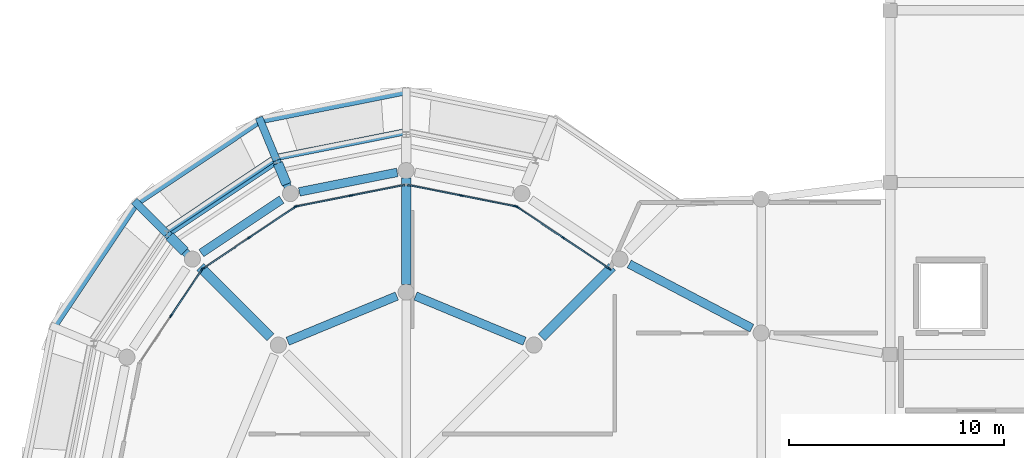
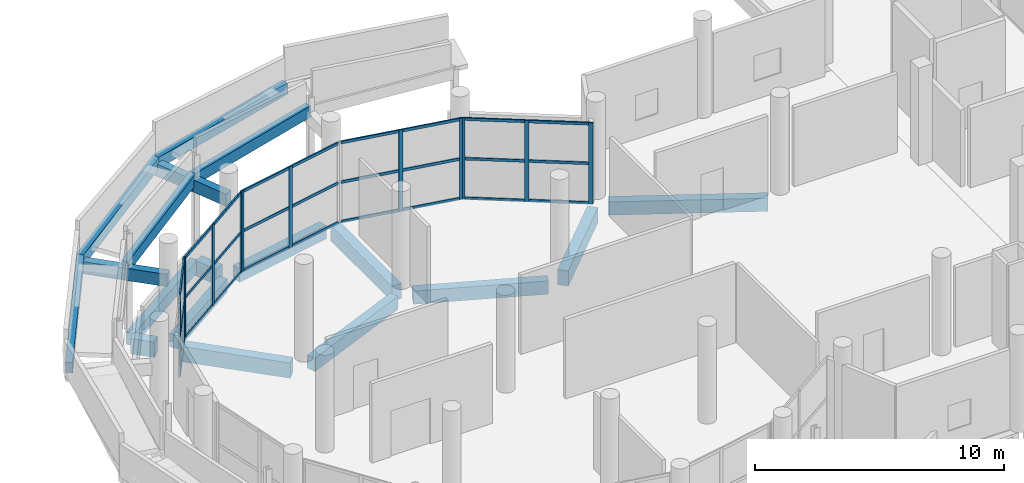
# One storey, part 27 of 106: 39 members, 20 beams, 5 elements without a shape of their own.
"""IFC4 building model written with IfcOpenShell, lengths in metres."""

from ifc_helpers import new_model, si_unit, direction, frame, origin, origin_2d, place, context, subcontext, project, spatial, rectangle, extrude, material, layer, layer_set, material_profile, profile_set, type_object, element, aggregate, save


model = new_model("IFC4")

# Units and contexts
model_context = context("Model", 3, precision=1e-05, world=origin(), true_north=direction((0.0, 1.0)))
body_context = subcontext(model_context, "Body", "Model", "MODEL_VIEW")
ifc_project = project(units=[si_unit("LENGTHUNIT", "METRE"), si_unit("AREAUNIT", "SQUARE_METRE"), si_unit("VOLUMEUNIT", "CUBIC_METRE"), si_unit("PLANEANGLEUNIT", "RADIAN"), si_unit("MASSUNIT", "GRAM", prefix="KILO")], contexts=[model_context])

# Site, building, storey
site_placement = place(None, origin())
site = spatial("IfcSite", under=ifc_project, at=site_placement, CompositionType="ELEMENT")
building_placement = place(site_placement, origin())
building = spatial("IfcBuilding", under=site, at=building_placement, Name="Jelvoka-Kovrelna Polytechnic", CompositionType="ELEMENT")
storey_placement = place(building_placement, frame((0.0, 0.0, 4.800048828125)))
storey = spatial("IfcBuildingStorey", under=building, at=storey_placement, Name="L02", CompositionType="ELEMENT", Elevation=4.800048828125)

# Beams
ifc_material_1 = material(Name="Concrete C35/45", Category="concrete")
ifc_material_profile_1 = material_profile(ifc_material_1, rectangle(XDim=0.35009765625, YDim=0.60009765625, at=origin_2d()), Name="RC 350x600")
ifc_profile_set_1 = profile_set([ifc_material_profile_1], Name="Concrete C35/45")
beam_type_1 = type_object("IfcBeamType", Name="Beam_RC_350x600", PredefinedType="BEAM", material=ifc_profile_set_1)
beam_1_placement = place(storey_placement, frame((15.565185546875, 52.434814453125, 2.8349609375), z_axis=(-0.707106781187, 0.707106781187, 0.0), x_axis=(-0.707106781187, -0.707106781187, 0.0)))
element("IfcBeam", 1, at=beam_1_placement, inside=storey, type_object=beam_type_1, Name="L02 spiral ramp inner tie beam 2.4", PredefinedType="BEAM", context=body_context, shape_type="SweptSolid", body=[
    extrude(rectangle(XDim=0.35009765625, YDim=0.60009765625, at=origin_2d()), origin(), (0.0, 0.0, 1.0), 1.670166015625),
])
beam_2_placement = place(storey_placement, frame((14.38427734375, 53.61572265625, 2.8349609375), z_axis=(-0.707106781187, 0.707106781187, 0.0), x_axis=(-0.707106781187, -0.707106781187, 0.0)))
element("IfcBeam", 2, at=beam_2_placement, inside=storey, type_object=beam_type_1, Name="L02 spiral ramp cantilever bracket 2.4", PredefinedType="BEAM", context=body_context, shape_type="SweptSolid", body=[
    extrude(rectangle(XDim=0.35009765625, YDim=0.60009765625, at=origin_2d()), origin(), (0.0, 0.0, 1.0), 2.159912109375),
])
beam_3_placement = place(storey_placement, frame((20.123291015625, 55.48046875, 3.31494140625), z_axis=(-0.38270467954, 0.923870731357, 0.0), x_axis=(-0.923870731357, -0.38270467954, 0.0)))
element("IfcBeam", 3, at=beam_3_placement, inside=storey, type_object=beam_type_1, Name="L02 spiral ramp inner tie beam 2.3", PredefinedType="BEAM", context=body_context, shape_type="SweptSolid", body=[
    extrude(rectangle(XDim=0.35009765625, YDim=0.60009765625, at=origin_2d()), origin(), (0.0, 0.0, 1.0), 1.670166015625),
])
beam_4_placement = place(storey_placement, frame((19.484130859375, 57.0234375, 3.31494140625), z_axis=(-0.382608018592, 0.923910766313, 0.0), x_axis=(-0.923910766313, -0.382608018592, 0.0)))
element("IfcBeam", 4, at=beam_4_placement, inside=storey, type_object=beam_type_1, Name="L02 spiral ramp cantilever bracket 2.3", PredefinedType="BEAM", context=body_context, shape_type="SweptSolid", body=[
    extrude(rectangle(XDim=0.35009765625, YDim=0.60009765625, at=origin_2d()), origin(), (0.0, 0.0, 1.0), 2.159912109375),
])
ifc_material_2 = material(Name="Concrete C40/50", Category="concrete")
ifc_material_profile_2 = material_profile(ifc_material_2, rectangle(XDim=0.39990234375, YDim=0.64990234375, at=origin_2d()), Name="RC 400x650")
ifc_profile_set_2 = profile_set([ifc_material_profile_2], Name="Concrete C40/50")
beam_type_2 = type_object("IfcBeamType", Name="Beam_RC_400x650", PredefinedType="BEAM", material=ifc_profile_set_2)
for number, where, z_axis, x_axis, name in (
    (5, (31.005615234375, 48.619384765625, -0.574951171875), (-0.923871015002, 0.382703994805, 0.0), (-0.382703994805, -0.923871015002, 0.0), "L02 beam 2410"),
    (6, (25.06591796875, 50.72021484375, -0.574951171875), (-0.923871015002, -0.382703994805, 0.0), (0.382703994805, -0.923871015002, 0.0), "L02 beam 2411"),
):
    element("IfcBeam", number, at=place(storey_placement, frame(where, z_axis=z_axis, x_axis=x_axis)), inside=storey, type_object=beam_type_2, Name=name, PredefinedType="BEAM", context=body_context, shape_type="SweptSolid", body=[
        extrude(rectangle(XDim=0.39990234375, YDim=0.64990234375, at=origin_2d()), origin(), (0.0, 0.0, 1.0), 5.489501953125),
    ])
beam_5_placement = place(storey_placement, frame((25.087158203125, 56.468017578125, -0.574951171875), z_axis=(-0.980774461066, -0.195144706619, 0.0), x_axis=(0.195144706619, -0.980774461066, 0.0)))
element("IfcBeam", 7, at=beam_5_placement, inside=storey, type_object=beam_type_2, Name="L02 beam 2418", PredefinedType="BEAM", context=body_context, shape_type="SweptSolid", body=[
    extrude(rectangle(XDim=0.39990234375, YDim=0.64990234375, at=origin_2d()), origin(), (0.0, 0.0, 1.0), 4.64013671875),
])
beam_6_placement = place(storey_placement, frame((19.70751953125, 55.20263671875, -0.574951171875), z_axis=(-0.831496756319, -0.55552960698, 0.0), x_axis=(0.55552960698, -0.831496756319, 0.0)))
element("IfcBeam", 8, at=beam_6_placement, inside=storey, type_object=beam_type_2, Name="L02 beam 2419", PredefinedType="BEAM", context=body_context, shape_type="SweptSolid", body=[
    extrude(rectangle(XDim=0.39990234375, YDim=0.64990234375, at=origin_2d()), origin(), (0.0, 0.0, 1.0), 4.481689453125),
])
beam_7_placement = place(storey_placement, frame((35.865478515625, 52.20947265625, -0.574951171875), z_axis=(0.886061545801, -0.463567618642, 0.0), x_axis=(0.463567618642, 0.886061545801, 0.0)))
element("IfcBeam", 9, at=beam_7_placement, inside=storey, type_object=beam_type_2, Name="L02 beam 2457", PredefinedType="BEAM", context=body_context, shape_type="SweptSolid", body=[
    extrude(rectangle(XDim=0.39990234375, YDim=0.64990234375, at=origin_2d()), origin(), (0.0, 0.0, 1.0), 6.437255859375),
])
ifc_material_3 = material(Name="Concrete C40/50", Category="concrete")
ifc_material_profile_3 = material_profile(ifc_material_3, rectangle(XDim=0.449951171875, YDim=0.75, at=origin_2d()), Name="RC 450x750")
ifc_profile_set_3 = profile_set([ifc_material_profile_3], Name="Concrete C40/50")
beam_type_3 = type_object("IfcBeamType", Name="Beam_RC_450x750", PredefinedType="BEAM", material=ifc_profile_set_3)
beam_8_placement = place(storey_placement, frame((31.800537109375, 48.800537109375, -0.625), z_axis=(0.707106781187, 0.707106781187, 0.0), x_axis=(-0.707106781187, 0.707106781187, 0.0)))
element("IfcBeam", 10, at=beam_8_placement, inside=storey, type_object=beam_type_3, Name="L02 beam 2397", PredefinedType="BEAM", context=body_context, shape_type="SweptSolid", body=[
    extrude(rectangle(XDim=0.449951171875, YDim=0.75, at=origin_2d()), origin(), (0.0, 0.0, 1.0), 4.62939453125),
])
beam_9_placement = place(storey_placement, frame((25.5, 51.2548828125, -0.625), z_axis=(0.0, 1.0, 0.0), x_axis=(-1.0, 0.0, 0.0)))
element("IfcBeam", 11, at=beam_9_placement, inside=storey, type_object=beam_type_3, Name="L02 beam 2399", PredefinedType="BEAM", context=body_context, shape_type="SweptSolid", body=[
    extrude(rectangle(XDim=0.449951171875, YDim=0.75, at=origin_2d()), origin(), (0.0, 0.0, 1.0), 4.940185546875),
])
beam_10_placement = place(storey_placement, frame((19.199462890625, 48.800537109375, -0.625), z_axis=(-0.707106781187, 0.707106781187, 0.0), x_axis=(-0.707106781187, -0.707106781187, 0.0)))
element("IfcBeam", 12, at=beam_10_placement, inside=storey, type_object=beam_type_3, Name="L02 beam 2401", PredefinedType="BEAM", context=body_context, shape_type="SweptSolid", body=[
    extrude(rectangle(XDim=0.449951171875, YDim=0.75, at=origin_2d()), origin(), (0.0, 0.0, 1.0), 4.62939453125),
])
beam_11_placement = place(storey_placement, frame((19.943603515625, 55.914794921875, -0.625), z_axis=(-0.382822216634, 0.923822033971, 0.0), x_axis=(-0.923822033971, -0.382822216634, 0.0)))
element("IfcBeam", 13, at=beam_11_placement, inside=storey, type_object=beam_type_3, Name="L02 beam 2432", PredefinedType="BEAM", context=body_context, shape_type="SweptSolid", body=[
    extrude(rectangle(XDim=0.449951171875, YDim=0.75, at=origin_2d()), origin(), (0.0, 0.0, 1.0), 1.05419921875),
])
beam_12_placement = place(storey_placement, frame((15.2041015625, 52.7958984375, -0.625), z_axis=(-0.707106781187, 0.707106781187, 0.0), x_axis=(-0.707106781187, -0.707106781187, 0.0)))
element("IfcBeam", 14, at=beam_12_placement, inside=storey, type_object=beam_type_3, Name="L02 beam 2433", PredefinedType="BEAM", context=body_context, shape_type="SweptSolid", body=[
    extrude(rectangle(XDim=0.449951171875, YDim=0.75, at=origin_2d()), origin(), (0.0, 0.0, 1.0), 0.99951171875),
])

# Curtain wall, members
ifc_material_4 = material(Name="Anodised aluminium 6063-T6", Category="aluminium")
ifc_layer = layer(ifc_material_4, 0.179931640625)
ifc_layer_set = layer_set([ifc_layer], Name="Anodised aluminium 6063-T6")
curtain_wall_type = type_object("IfcCurtainWallType", Name="CW_Pavilion", PredefinedType="NOTDEFINED", material=ifc_layer_set)
curtain_wall_1_placement = place(storey_placement, origin())
curtain_wall_1 = element("IfcCurtainWall", 15, at=curtain_wall_1_placement, inside=storey, type_object=curtain_wall_type, Name="L02 glazed curtain wall 222", PredefinedType="NOTDEFINED")
ifc_material_5 = material(Name="Anodised aluminium 6063-T6", Category="aluminium")
ifc_material_profile_4 = material_profile(ifc_material_5, rectangle(XDim=0.06494140625, YDim=0.179931640625, at=origin_2d()), Name="ALU 65x180")
ifc_profile_set_4 = profile_set([ifc_material_profile_4], Name="Anodised aluminium 6063-T6")
member_type_1 = type_object("IfcMemberType", Name="Mullion_M-05", PredefinedType="MULLION", material=ifc_profile_set_4)
member_1_placement = place(storey_placement, frame((30.655029296875, 54.862060546875, -0.02490234375), z_axis=(0.0, 0.0, 1.0), x_axis=(0.555582639326, 0.83146132254, 0.0)))
member_1 = element("IfcMember", 16, at=member_1_placement, type_object=member_type_1, Name="CW-05 mullion 1", PredefinedType="MULLION", context=body_context, shape_type="SweptSolid", body=[
    extrude(rectangle(XDim=0.06494140625, YDim=0.179931640625, at=origin_2d()), origin(), (0.0, 0.0, 1.0), 4.0),
])
member_2_placement = place(storey_placement, frame((32.801513671875, 53.427490234375, -0.02490234375), z_axis=(0.0, 0.0, 1.0), x_axis=(0.555582639326, 0.83146132254, 0.0)))
member_2 = element("IfcMember", 17, at=member_2_placement, type_object=member_type_1, Name="CW-05 mullion 2", PredefinedType="MULLION", context=body_context, shape_type="SweptSolid", body=[
    extrude(rectangle(XDim=0.06494140625, YDim=0.179931640625, at=origin_2d()), origin(), (0.0, 0.0, 1.0), 4.0),
])
member_3_placement = place(storey_placement, frame((34.9482421875, 51.9931640625, -0.02490234375), z_axis=(0.0, 0.0, 1.0), x_axis=(0.555582639326, 0.83146132254, 0.0)))
member_3 = element("IfcMember", 18, at=member_3_placement, type_object=member_type_1, Name="CW-05 mullion 3", PredefinedType="MULLION", context=body_context, shape_type="SweptSolid", body=[
    extrude(rectangle(XDim=0.06494140625, YDim=0.179931640625, at=origin_2d()), origin(), (0.0, 0.0, 1.0), 4.0),
])

curtain_wall_2_placement = place(storey_placement, origin())
curtain_wall_2 = element("IfcCurtainWall", 19, at=curtain_wall_2_placement, inside=storey, type_object=curtain_wall_type, Name="L02 glazed curtain wall 223", PredefinedType="NOTDEFINED")
member_4_placement = place(storey_placement, frame((28.06396484375, 55.389892578125, -0.02490234375), z_axis=(0.0, 0.0, 1.0), x_axis=(0.195086160371, 0.980786108197, 0.0)))
member_4 = element("IfcMember", 20, at=member_4_placement, type_object=member_type_1, Name="CW-05 mullion 2", PredefinedType="MULLION", context=body_context, shape_type="SweptSolid", body=[
    extrude(rectangle(XDim=0.06494140625, YDim=0.179931640625, at=origin_2d()), origin(), (0.0, 0.0, 1.0), 4.0),
])
member_5_placement = place(storey_placement, frame((30.59619140625, 54.88623046875, -0.02490234375), z_axis=(0.0, 0.0, 1.0), x_axis=(0.195086160371, 0.980786108197, 0.0)))
member_5 = element("IfcMember", 21, at=member_5_placement, type_object=member_type_1, Name="CW-05 mullion 3", PredefinedType="MULLION", context=body_context, shape_type="SweptSolid", body=[
    extrude(rectangle(XDim=0.06494140625, YDim=0.179931640625, at=origin_2d()), origin(), (0.0, 0.0, 1.0), 4.0),
])

curtain_wall_3_placement = place(storey_placement, origin())
curtain_wall_3 = element("IfcCurtainWall", 22, at=curtain_wall_3_placement, inside=storey, type_object=curtain_wall_type, Name="L02 glazed curtain wall 224", PredefinedType="NOTDEFINED")
member_6_placement = place(storey_placement, frame((20.40380859375, 54.88623046875, -0.02490234375), z_axis=(0.0, 0.0, 1.0), x_axis=(-0.195086160371, 0.980786108197, 0.0)))
member_6 = element("IfcMember", 23, at=member_6_placement, type_object=member_type_1, Name="CW-05 mullion 1", PredefinedType="MULLION", context=body_context, shape_type="SweptSolid", body=[
    extrude(rectangle(XDim=0.06494140625, YDim=0.179931640625, at=origin_2d()), origin(), (0.0, 0.0, 1.0), 4.0),
])
member_7_placement = place(storey_placement, frame((22.93603515625, 55.389892578125, -0.02490234375), z_axis=(0.0, 0.0, 1.0), x_axis=(-0.195086160371, 0.980786108197, 0.0)))
member_7 = element("IfcMember", 24, at=member_7_placement, type_object=member_type_1, Name="CW-05 mullion 2", PredefinedType="MULLION", context=body_context, shape_type="SweptSolid", body=[
    extrude(rectangle(XDim=0.06494140625, YDim=0.179931640625, at=origin_2d()), origin(), (0.0, 0.0, 1.0), 4.0),
])

curtain_wall_4_placement = place(storey_placement, origin())
curtain_wall_4 = element("IfcCurtainWall", 25, at=curtain_wall_4_placement, inside=storey, type_object=curtain_wall_type, Name="L02 glazed curtain wall 225", PredefinedType="NOTDEFINED")
member_8_placement = place(storey_placement, frame((16.0517578125, 51.9931640625, -0.02490234375), z_axis=(0.0, 0.0, 1.0), x_axis=(-0.555582639326, 0.83146132254, 0.0)))
member_8 = element("IfcMember", 26, at=member_8_placement, type_object=member_type_1, Name="CW-05 mullion 1", PredefinedType="MULLION", context=body_context, shape_type="SweptSolid", body=[
    extrude(rectangle(XDim=0.06494140625, YDim=0.179931640625, at=origin_2d()), origin(), (0.0, 0.0, 1.0), 4.0),
])
member_9_placement = place(storey_placement, frame((18.198486328125, 53.427490234375, -0.02490234375), z_axis=(0.0, 0.0, 1.0), x_axis=(-0.555582639326, 0.83146132254, 0.0)))
member_9 = element("IfcMember", 27, at=member_9_placement, type_object=member_type_1, Name="CW-05 mullion 2", PredefinedType="MULLION", context=body_context, shape_type="SweptSolid", body=[
    extrude(rectangle(XDim=0.06494140625, YDim=0.179931640625, at=origin_2d()), origin(), (0.0, 0.0, 1.0), 4.0),
])
member_10_placement = place(storey_placement, frame((20.344970703125, 54.862060546875, -0.02490234375), z_axis=(0.0, 0.0, 1.0), x_axis=(-0.555582639326, 0.83146132254, 0.0)))
member_10 = element("IfcMember", 28, at=member_10_placement, type_object=member_type_1, Name="CW-05 mullion 3", PredefinedType="MULLION", context=body_context, shape_type="SweptSolid", body=[
    extrude(rectangle(XDim=0.06494140625, YDim=0.179931640625, at=origin_2d()), origin(), (0.0, 0.0, 1.0), 4.0),
])

curtain_wall_5_placement = place(storey_placement, origin())
curtain_wall_5 = element("IfcCurtainWall", 29, at=curtain_wall_5_placement, inside=storey, type_object=curtain_wall_type, Name="L02 glazed curtain wall 226", PredefinedType="NOTDEFINED")
member_11_placement = place(storey_placement, frame((14.572509765625, 49.801513671875, -0.02490234375), z_axis=(0.0, 0.0, 1.0), x_axis=(-0.83146132254, 0.555582639326, 0.0)))
member_11 = element("IfcMember", 30, at=member_11_placement, type_object=member_type_1, Name="CW-05 mullion 2", PredefinedType="MULLION", context=body_context, shape_type="SweptSolid", body=[
    extrude(rectangle(XDim=0.06494140625, YDim=0.179931640625, at=origin_2d()), origin(), (0.0, 0.0, 1.0), 4.0),
])
member_12_placement = place(storey_placement, frame((16.0068359375, 51.9482421875, -0.02490234375), z_axis=(0.0, 0.0, 1.0), x_axis=(-0.83146132254, 0.555582639326, 0.0)))
member_12 = element("IfcMember", 31, at=member_12_placement, type_object=member_type_1, Name="CW-05 mullion 3", PredefinedType="MULLION", context=body_context, shape_type="SweptSolid", body=[
    extrude(rectangle(XDim=0.06494140625, YDim=0.179931640625, at=origin_2d()), origin(), (0.0, 0.0, 1.0), 4.0),
])

# Beams
ifc_material_6 = material(Name="Concrete C40/50", Category="concrete")
ifc_material_profile_5 = material_profile(ifc_material_6, rectangle(XDim=0.300048828125, YDim=0.550048828125, at=origin_2d()), Name="RC 300x550")
ifc_profile_set_5 = profile_set([ifc_material_profile_5], Name="Concrete C40/50")
beam_type_4 = type_object("IfcBeamType", Name="Spandrel_RC_300x550", PredefinedType="SPANDREL", material=ifc_profile_set_5)
for number, where, z_axis, x_axis, name in (
    (32, (9.12890625, 49.28125, 2.60498046875), (0.554262207017, 0.829455823466, 0.069256355599), (-0.831452226772, 0.555596251424, 0.0), "L02 spiral ramp curved outer stringer 2.5"),
    (33, (12.97021484375, 55.02978515625, 3.0849609375), (0.829455823466, 0.554262207017, 0.069256355599), (-0.555596251424, 0.831452226772, 0.0), "L02 spiral ramp curved outer stringer 2.4"),
):
    element("IfcBeam", number, at=place(storey_placement, frame(where, z_axis=z_axis, x_axis=x_axis)), inside=storey, type_object=beam_type_4, Name=name, PredefinedType="SPANDREL", context=body_context, shape_type="SweptSolid", body=[
        extrude(rectangle(XDim=0.300048828125, YDim=0.550048828125, at=origin_2d()), origin(), (0.0, 0.0, 1.0), 6.930419921875),
    ])
beam_13_placement = place(storey_placement, frame((14.285400390625, 53.714599609375, 3.0849609375), z_axis=(0.828977242315, 0.553910202908, 0.077331874657), x_axis=(-0.555573920801, 0.831467148194, 0.0)))
element("IfcBeam", 34, at=beam_13_placement, inside=storey, type_object=beam_type_4, Name="L02 spiral ramp curved inner stringer 2.4", PredefinedType="SPANDREL", context=body_context, shape_type="SweptSolid", body=[
    extrude(rectangle(XDim=0.300048828125, YDim=0.550048828125, at=origin_2d()), origin(), (0.0, 0.0, 1.0), 6.206787109375),
])
beam_14_placement = place(storey_placement, frame((18.71875, 58.87109375, 3.56494140625), z_axis=(0.978430417341, 0.194622265834, 0.069253823462), x_axis=(-0.195090664524, 0.980785212274, 0.0)))
element("IfcBeam", 35, at=beam_14_placement, inside=storey, type_object=beam_type_4, Name="L02 spiral ramp curved outer stringer 2.3", PredefinedType="SPANDREL", context=body_context, shape_type="SweptSolid", body=[
    extrude(rectangle(XDim=0.300048828125, YDim=0.550048828125, at=origin_2d()), origin(), (0.0, 0.0, 1.0), 6.9306640625),
])
beam_15_placement = place(storey_placement, frame((19.4306640625, 57.152587890625, 3.56494140625), z_axis=(0.977840520324, 0.194545422909, 0.07733042892), x_axis=(-0.195129735209, 0.980777439808, 0.0)))
element("IfcBeam", 36, at=beam_15_placement, inside=storey, type_object=beam_type_4, Name="L02 spiral ramp curved inner stringer 2.3", PredefinedType="SPANDREL", context=body_context, shape_type="SweptSolid", body=[
    extrude(rectangle(XDim=0.300048828125, YDim=0.550048828125, at=origin_2d()), origin(), (0.0, 0.0, 1.0), 6.206787109375),
])
ifc_material_7 = material(Name="Concrete C40/50", Category="concrete")
ifc_material_profile_6 = material_profile(ifc_material_7, rectangle(XDim=0.35009765625, YDim=0.60009765625, at=origin_2d()), Name="RC 350x600")
ifc_profile_set_6 = profile_set([ifc_material_profile_6], Name="Concrete C40/50")
beam_type_5 = type_object("IfcBeamType", Name="Spandrel_RC_350x600", PredefinedType="SPANDREL", material=ifc_profile_set_6)
beam_16_placement = place(storey_placement, frame((19.3544921875, 56.9365234375, -0.550048828125), z_axis=(-0.831475611635, -0.555561254279, 0.0), x_axis=(0.555561254279, -0.831475611635, 0.0)))
element("IfcBeam", 37, at=beam_16_placement, inside=storey, type_object=beam_type_5, Name="L02 beam 2444", PredefinedType="SPANDREL", context=body_context, shape_type="SweptSolid", body=[
    extrude(rectangle(XDim=0.35009765625, YDim=0.60009765625, at=origin_2d()), origin(), (0.0, 0.0, 1.0), 5.8212890625),
])

# Member
ifc_material_8 = material(Name="Anodised aluminium 6063-T6", Category="aluminium")
ifc_material_profile_7 = material_profile(ifc_material_8, rectangle(XDim=0.06494140625, YDim=0.135009765625, at=origin_2d()), Name="ALU 65x135")
ifc_profile_set_7 = profile_set([ifc_material_profile_7], Name="Anodised aluminium 6063-T6")
member_type_2 = type_object("IfcMemberType", Name="Transom_T-05", PredefinedType="USERDEFINED", material=ifc_profile_set_7)
member_13_placement = place(storey_placement, frame((30.68212890625, 54.843994140625, 0.032470703125), z_axis=(0.831422966795, -0.555640036612, 0.0), x_axis=(0.555640036612, 0.831422966795, 0.0)))
member_13 = element("IfcMember", 38, at=member_13_placement, type_object=member_type_2, Name="CW-05 transom 1.1", ObjectType="TRANSOM", PredefinedType="USERDEFINED", context=body_context, shape_type="SweptSolid", body=[
    extrude(rectangle(XDim=0.06494140625, YDim=0.135009765625, at=origin_2d()), origin(), (0.0, 0.0, 1.0), 2.516845703125),
])

member_14_placement = place(storey_placement, frame((30.68212890625, 54.843994140625, 1.974853515625), z_axis=(0.831422966795, -0.555640036612, 0.0), x_axis=(0.555640036612, 0.831422966795, 0.0)))
member_14 = element("IfcMember", 39, at=member_14_placement, type_object=member_type_2, Name="CW-05 transom 1.2", ObjectType="TRANSOM", PredefinedType="USERDEFINED", context=body_context, shape_type="SweptSolid", body=[
    extrude(rectangle(XDim=0.06494140625, YDim=0.135009765625, at=origin_2d()), origin(), (0.0, 0.0, 1.0), 2.516845703125),
])

member_15_placement = place(storey_placement, frame((30.68212890625, 54.843994140625, 3.91748046875), z_axis=(0.831422966795, -0.555640036612, 0.0), x_axis=(0.555640036612, 0.831422966795, 0.0)))
member_15 = element("IfcMember", 40, at=member_15_placement, type_object=member_type_2, Name="CW-05 transom 1.3", ObjectType="TRANSOM", PredefinedType="USERDEFINED", context=body_context, shape_type="SweptSolid", body=[
    extrude(rectangle(XDim=0.06494140625, YDim=0.135009765625, at=origin_2d()), origin(), (0.0, 0.0, 1.0), 2.516845703125),
])

member_16_placement = place(storey_placement, frame((32.82861328125, 53.409423828125, 0.032470703125), z_axis=(0.831467779718, -0.555572975667, 0.0), x_axis=(0.555572975667, 0.831467779718, 0.0)))
member_16 = element("IfcMember", 41, at=member_16_placement, type_object=member_type_2, Name="CW-05 transom 2.1", ObjectType="TRANSOM", PredefinedType="USERDEFINED", context=body_context, shape_type="SweptSolid", body=[
    extrude(rectangle(XDim=0.06494140625, YDim=0.135009765625, at=origin_2d()), origin(), (0.0, 0.0, 1.0), 2.5166015625),
])

member_17_placement = place(storey_placement, frame((32.82861328125, 53.409423828125, 1.974853515625), z_axis=(0.831467779718, -0.555572975667, 0.0), x_axis=(0.555572975667, 0.831467779718, 0.0)))
member_17 = element("IfcMember", 42, at=member_17_placement, type_object=member_type_2, Name="CW-05 transom 2.2", ObjectType="TRANSOM", PredefinedType="USERDEFINED", context=body_context, shape_type="SweptSolid", body=[
    extrude(rectangle(XDim=0.06494140625, YDim=0.135009765625, at=origin_2d()), origin(), (0.0, 0.0, 1.0), 2.5166015625),
])

member_18_placement = place(storey_placement, frame((32.82861328125, 53.409423828125, 3.91748046875), z_axis=(0.831467779718, -0.555572975667, 0.0), x_axis=(0.555572975667, 0.831467779718, 0.0)))
member_18 = element("IfcMember", 43, at=member_18_placement, type_object=member_type_2, Name="CW-05 transom 2.3", ObjectType="TRANSOM", PredefinedType="USERDEFINED", context=body_context, shape_type="SweptSolid", body=[
    extrude(rectangle(XDim=0.06494140625, YDim=0.135009765625, at=origin_2d()), origin(), (0.0, 0.0, 1.0), 2.5166015625),
])

aggregate(curtain_wall_1, [member_1, member_2, member_3, member_13, member_14, member_15, member_16, member_17, member_18])

member_19_placement = place(storey_placement, frame((25.563720703125, 55.88720703125, 0.032470703125), z_axis=(0.980789047023, -0.195071384983, 0.0), x_axis=(0.195071384983, 0.980789047023, 0.0)))
member_19 = element("IfcMember", 44, at=member_19_placement, type_object=member_type_2, Name="CW-05 transom 1.1", ObjectType="TRANSOM", PredefinedType="USERDEFINED", context=body_context, shape_type="SweptSolid", body=[
    extrude(rectangle(XDim=0.06494140625, YDim=0.135009765625, at=origin_2d()), origin(), (0.0, 0.0, 1.0), 2.516845703125),
])

member_20_placement = place(storey_placement, frame((25.563720703125, 55.88720703125, 1.974853515625), z_axis=(0.980789047023, -0.195071384983, 0.0), x_axis=(0.195071384983, 0.980789047023, 0.0)))
member_20 = element("IfcMember", 45, at=member_20_placement, type_object=member_type_2, Name="CW-05 transom 1.2", ObjectType="TRANSOM", PredefinedType="USERDEFINED", context=body_context, shape_type="SweptSolid", body=[
    extrude(rectangle(XDim=0.06494140625, YDim=0.135009765625, at=origin_2d()), origin(), (0.0, 0.0, 1.0), 2.516845703125),
])

member_21_placement = place(storey_placement, frame((25.563720703125, 55.88720703125, 3.91748046875), z_axis=(0.980789047023, -0.195071384983, 0.0), x_axis=(0.195071384983, 0.980789047023, 0.0)))
member_21 = element("IfcMember", 46, at=member_21_placement, type_object=member_type_2, Name="CW-05 transom 1.3", ObjectType="TRANSOM", PredefinedType="USERDEFINED", context=body_context, shape_type="SweptSolid", body=[
    extrude(rectangle(XDim=0.06494140625, YDim=0.135009765625, at=origin_2d()), origin(), (0.0, 0.0, 1.0), 2.516845703125),
])

member_22_placement = place(storey_placement, frame((28.095947265625, 55.383544921875, 0.032470703125), z_axis=(0.980785355287, -0.195089945547, 0.0), x_axis=(0.195089945547, 0.980785355287, 0.0)))
member_22 = element("IfcMember", 47, at=member_22_placement, type_object=member_type_2, Name="CW-05 transom 2.1", ObjectType="TRANSOM", PredefinedType="USERDEFINED", context=body_context, shape_type="SweptSolid", body=[
    extrude(rectangle(XDim=0.06494140625, YDim=0.135009765625, at=origin_2d()), origin(), (0.0, 0.0, 1.0), 2.5166015625),
])

member_23_placement = place(storey_placement, frame((28.095947265625, 55.383544921875, 1.974853515625), z_axis=(0.980785355287, -0.195089945547, 0.0), x_axis=(0.195089945547, 0.980785355287, 0.0)))
member_23 = element("IfcMember", 48, at=member_23_placement, type_object=member_type_2, Name="CW-05 transom 2.2", ObjectType="TRANSOM", PredefinedType="USERDEFINED", context=body_context, shape_type="SweptSolid", body=[
    extrude(rectangle(XDim=0.06494140625, YDim=0.135009765625, at=origin_2d()), origin(), (0.0, 0.0, 1.0), 2.5166015625),
])

member_24_placement = place(storey_placement, frame((28.095947265625, 55.383544921875, 3.91748046875), z_axis=(0.980785355287, -0.195089945547, 0.0), x_axis=(0.195089945547, 0.980785355287, 0.0)))
member_24 = element("IfcMember", 49, at=member_24_placement, type_object=member_type_2, Name="CW-05 transom 2.3", ObjectType="TRANSOM", PredefinedType="USERDEFINED", context=body_context, shape_type="SweptSolid", body=[
    extrude(rectangle(XDim=0.06494140625, YDim=0.135009765625, at=origin_2d()), origin(), (0.0, 0.0, 1.0), 2.5166015625),
])

aggregate(curtain_wall_2, [member_4, member_5, member_19, member_20, member_21, member_22, member_23, member_24])

member_25_placement = place(storey_placement, frame((20.435791015625, 54.892578125, 0.032470703125), z_axis=(0.980785355287, 0.195089945547, 0.0), x_axis=(-0.195089945547, 0.980785355287, 0.0)))
member_25 = element("IfcMember", 50, at=member_25_placement, type_object=member_type_2, Name="CW-05 transom 1.1", ObjectType="TRANSOM", PredefinedType="USERDEFINED", context=body_context, shape_type="SweptSolid", body=[
    extrude(rectangle(XDim=0.06494140625, YDim=0.135009765625, at=origin_2d()), origin(), (0.0, 0.0, 1.0), 2.5166015625),
])

member_26_placement = place(storey_placement, frame((20.435791015625, 54.892578125, 1.974853515625), z_axis=(0.980785355287, 0.195089945547, 0.0), x_axis=(-0.195089945547, 0.980785355287, 0.0)))
member_26 = element("IfcMember", 51, at=member_26_placement, type_object=member_type_2, Name="CW-05 transom 1.2", ObjectType="TRANSOM", PredefinedType="USERDEFINED", context=body_context, shape_type="SweptSolid", body=[
    extrude(rectangle(XDim=0.06494140625, YDim=0.135009765625, at=origin_2d()), origin(), (0.0, 0.0, 1.0), 2.5166015625),
])

member_27_placement = place(storey_placement, frame((20.435791015625, 54.892578125, 3.91748046875), z_axis=(0.980785355287, 0.195089945547, 0.0), x_axis=(-0.195089945547, 0.980785355287, 0.0)))
member_27 = element("IfcMember", 52, at=member_27_placement, type_object=member_type_2, Name="CW-05 transom 1.3", ObjectType="TRANSOM", PredefinedType="USERDEFINED", context=body_context, shape_type="SweptSolid", body=[
    extrude(rectangle(XDim=0.06494140625, YDim=0.135009765625, at=origin_2d()), origin(), (0.0, 0.0, 1.0), 2.5166015625),
])

member_28_placement = place(storey_placement, frame((22.9677734375, 55.396240234375, 0.032470703125), z_axis=(0.980789047023, 0.195071384983, 0.0), x_axis=(-0.195071384983, 0.980789047023, 0.0)))
member_28 = element("IfcMember", 53, at=member_28_placement, type_object=member_type_2, Name="CW-05 transom 2.1", ObjectType="TRANSOM", PredefinedType="USERDEFINED", context=body_context, shape_type="SweptSolid", body=[
    extrude(rectangle(XDim=0.06494140625, YDim=0.135009765625, at=origin_2d()), origin(), (0.0, 0.0, 1.0), 2.516845703125),
])

member_29_placement = place(storey_placement, frame((22.9677734375, 55.396240234375, 1.974853515625), z_axis=(0.980789047023, 0.195071384983, 0.0), x_axis=(-0.195071384983, 0.980789047023, 0.0)))
member_29 = element("IfcMember", 54, at=member_29_placement, type_object=member_type_2, Name="CW-05 transom 2.2", ObjectType="TRANSOM", PredefinedType="USERDEFINED", context=body_context, shape_type="SweptSolid", body=[
    extrude(rectangle(XDim=0.06494140625, YDim=0.135009765625, at=origin_2d()), origin(), (0.0, 0.0, 1.0), 2.516845703125),
])

member_30_placement = place(storey_placement, frame((22.9677734375, 55.396240234375, 3.91748046875), z_axis=(0.980789047023, 0.195071384983, 0.0), x_axis=(-0.195071384983, 0.980789047023, 0.0)))
member_30 = element("IfcMember", 55, at=member_30_placement, type_object=member_type_2, Name="CW-05 transom 2.3", ObjectType="TRANSOM", PredefinedType="USERDEFINED", context=body_context, shape_type="SweptSolid", body=[
    extrude(rectangle(XDim=0.06494140625, YDim=0.135009765625, at=origin_2d()), origin(), (0.0, 0.0, 1.0), 2.516845703125),
])

aggregate(curtain_wall_3, [member_6, member_7, member_25, member_26, member_27, member_28, member_29, member_30])

member_31_placement = place(storey_placement, frame((16.078857421875, 52.01123046875, 0.032470703125), z_axis=(0.831467779718, 0.555572975667, 0.0), x_axis=(-0.555572975667, 0.831467779718, 0.0)))
member_31 = element("IfcMember", 56, at=member_31_placement, type_object=member_type_2, Name="CW-05 transom 1.1", ObjectType="TRANSOM", PredefinedType="USERDEFINED", context=body_context, shape_type="SweptSolid", body=[
    extrude(rectangle(XDim=0.06494140625, YDim=0.135009765625, at=origin_2d()), origin(), (0.0, 0.0, 1.0), 2.5166015625),
])

member_32_placement = place(storey_placement, frame((16.078857421875, 52.01123046875, 1.974853515625), z_axis=(0.831467779718, 0.555572975667, 0.0), x_axis=(-0.555572975667, 0.831467779718, 0.0)))
member_32 = element("IfcMember", 57, at=member_32_placement, type_object=member_type_2, Name="CW-05 transom 1.2", ObjectType="TRANSOM", PredefinedType="USERDEFINED", context=body_context, shape_type="SweptSolid", body=[
    extrude(rectangle(XDim=0.06494140625, YDim=0.135009765625, at=origin_2d()), origin(), (0.0, 0.0, 1.0), 2.5166015625),
])

member_33_placement = place(storey_placement, frame((16.078857421875, 52.01123046875, 3.91748046875), z_axis=(0.831467779718, 0.555572975667, 0.0), x_axis=(-0.555572975667, 0.831467779718, 0.0)))
member_33 = element("IfcMember", 58, at=member_33_placement, type_object=member_type_2, Name="CW-05 transom 1.3", ObjectType="TRANSOM", PredefinedType="USERDEFINED", context=body_context, shape_type="SweptSolid", body=[
    extrude(rectangle(XDim=0.06494140625, YDim=0.135009765625, at=origin_2d()), origin(), (0.0, 0.0, 1.0), 2.5166015625),
])

member_34_placement = place(storey_placement, frame((18.225341796875, 53.445556640625, 0.032470703125), z_axis=(0.831422966795, 0.555640036612, 0.0), x_axis=(-0.555640036612, 0.831422966795, 0.0)))
member_34 = element("IfcMember", 59, at=member_34_placement, type_object=member_type_2, Name="CW-05 transom 2.1", ObjectType="TRANSOM", PredefinedType="USERDEFINED", context=body_context, shape_type="SweptSolid", body=[
    extrude(rectangle(XDim=0.06494140625, YDim=0.135009765625, at=origin_2d()), origin(), (0.0, 0.0, 1.0), 2.516845703125),
])

member_35_placement = place(storey_placement, frame((18.225341796875, 53.445556640625, 1.974853515625), z_axis=(0.831422966795, 0.555640036612, 0.0), x_axis=(-0.555640036612, 0.831422966795, 0.0)))
member_35 = element("IfcMember", 60, at=member_35_placement, type_object=member_type_2, Name="CW-05 transom 2.2", ObjectType="TRANSOM", PredefinedType="USERDEFINED", context=body_context, shape_type="SweptSolid", body=[
    extrude(rectangle(XDim=0.06494140625, YDim=0.135009765625, at=origin_2d()), origin(), (0.0, 0.0, 1.0), 2.516845703125),
])

member_36_placement = place(storey_placement, frame((18.225341796875, 53.445556640625, 3.91748046875), z_axis=(0.831422966795, 0.555640036612, 0.0), x_axis=(-0.555640036612, 0.831422966795, 0.0)))
member_36 = element("IfcMember", 61, at=member_36_placement, type_object=member_type_2, Name="CW-05 transom 2.3", ObjectType="TRANSOM", PredefinedType="USERDEFINED", context=body_context, shape_type="SweptSolid", body=[
    extrude(rectangle(XDim=0.06494140625, YDim=0.135009765625, at=origin_2d()), origin(), (0.0, 0.0, 1.0), 2.516845703125),
])

aggregate(curtain_wall_4, [member_8, member_9, member_10, member_31, member_32, member_33, member_34, member_35, member_36])

member_37_placement = place(storey_placement, frame((14.590576171875, 49.82861328125, 0.032470703125), z_axis=(0.555572975667, 0.831467779718, 0.0), x_axis=(-0.831467779718, 0.555572975667, 0.0)))
member_37 = element("IfcMember", 62, at=member_37_placement, type_object=member_type_2, Name="CW-05 transom 2.1", ObjectType="TRANSOM", PredefinedType="USERDEFINED", context=body_context, shape_type="SweptSolid", body=[
    extrude(rectangle(XDim=0.06494140625, YDim=0.135009765625, at=origin_2d()), origin(), (0.0, 0.0, 1.0), 2.5166015625),
])

member_38_placement = place(storey_placement, frame((14.590576171875, 49.82861328125, 1.974853515625), z_axis=(0.555572975667, 0.831467779718, 0.0), x_axis=(-0.831467779718, 0.555572975667, 0.0)))
member_38 = element("IfcMember", 63, at=member_38_placement, type_object=member_type_2, Name="CW-05 transom 2.2", ObjectType="TRANSOM", PredefinedType="USERDEFINED", context=body_context, shape_type="SweptSolid", body=[
    extrude(rectangle(XDim=0.06494140625, YDim=0.135009765625, at=origin_2d()), origin(), (0.0, 0.0, 1.0), 2.5166015625),
])

member_39_placement = place(storey_placement, frame((14.590576171875, 49.82861328125, 3.91748046875), z_axis=(0.555572975667, 0.831467779718, 0.0), x_axis=(-0.831467779718, 0.555572975667, 0.0)))
member_39 = element("IfcMember", 64, at=member_39_placement, type_object=member_type_2, Name="CW-05 transom 2.3", ObjectType="TRANSOM", PredefinedType="USERDEFINED", context=body_context, shape_type="SweptSolid", body=[
    extrude(rectangle(XDim=0.06494140625, YDim=0.135009765625, at=origin_2d()), origin(), (0.0, 0.0, 1.0), 2.5166015625),
])

aggregate(curtain_wall_5, [member_11, member_12, member_37, member_38, member_39])

save(model, "model.ifc")
